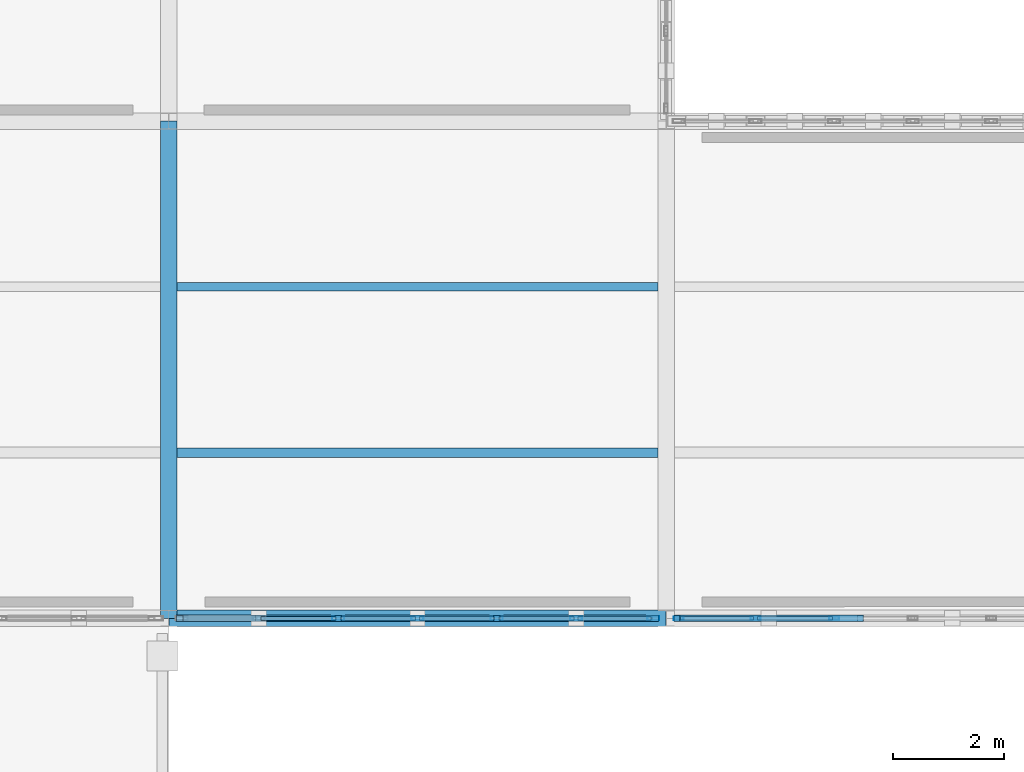
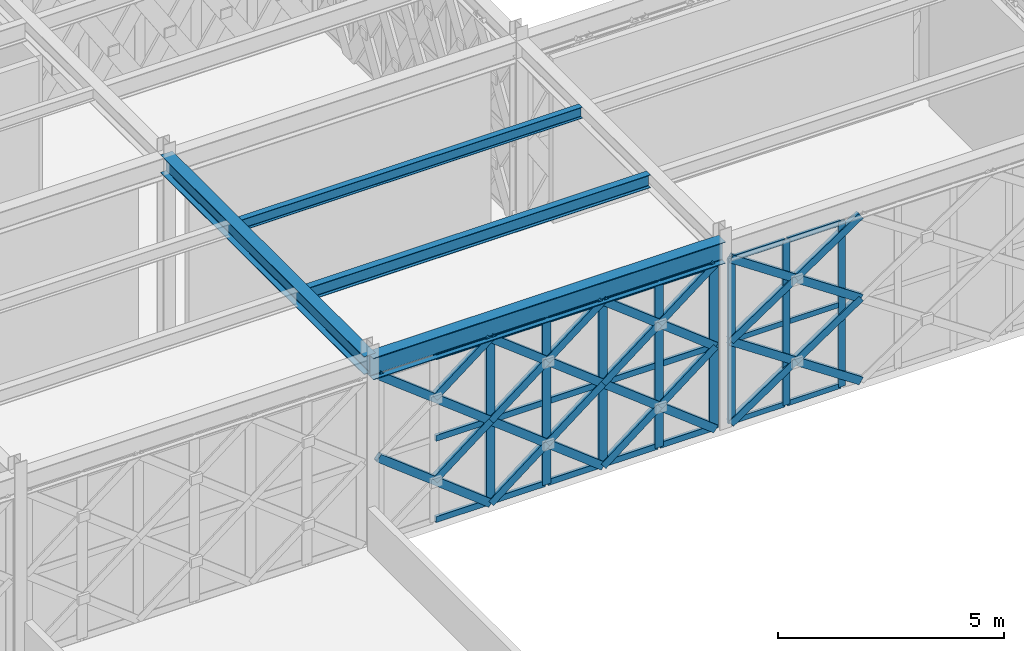
# One storey, part 106 of 155: 51 members, 4 beams, 2 elements without a shape of their own.
"""IFC4 building model written with IfcOpenShell, lengths in metres."""

from ifc_helpers import new_model, si_unit, direction, frame, origin, origin_2d, place, context, subcontext, project, spatial, hollow_rectangle, i_section, extrude, material, material_profile, profile_set, type_object, element, aggregate, save


model = new_model("IFC4")

# Units and contexts
model_context = context("Model", 3, precision=1e-05, world=origin(), true_north=direction((0.0, 1.0)))
body_context = subcontext(model_context, "Body", "Model", "MODEL_VIEW")
ifc_project = project(units=[si_unit("LENGTHUNIT", "METRE"), si_unit("AREAUNIT", "SQUARE_METRE"), si_unit("VOLUMEUNIT", "CUBIC_METRE"), si_unit("PLANEANGLEUNIT", "RADIAN"), si_unit("MASSUNIT", "GRAM", prefix="KILO")], contexts=[model_context])

# Site, building, storey
site_placement = place(None, origin())
site = spatial("IfcSite", under=ifc_project, at=site_placement, CompositionType="ELEMENT")
building_placement = place(site_placement, origin())
building = spatial("IfcBuilding", under=site, at=building_placement, Name="Haizhuo Lancet Aquarium", CompositionType="ELEMENT")
storey_placement = place(building_placement, frame((0.0, 0.0, 10.800048828125)))
storey = spatial("IfcBuildingStorey", under=building, at=storey_placement, Name="L02", CompositionType="ELEMENT", Elevation=10.800048828125)

# Beams
ifc_material_1 = material(Name="Steel S355", Category="steel")
ifc_material_profile_1 = material_profile(ifc_material_1, i_section(OverallWidth=0.300048828125, OverallDepth=0.488037109375, WebThickness=0.010986328125, FlangeThickness=0.01806640625, FilletRadius=0.02392578125, at=origin_2d()), Name="HM 488x300x11x18")
ifc_profile_set_1 = profile_set([ifc_material_profile_1], Name="Steel S355")
beam_type_1 = type_object("IfcBeamType", Name="BM-ST-HM488", PredefinedType="BEAM", material=ifc_profile_set_1)
beam_1_placement = place(storey_placement, frame((63.0, 9.0, 4.805908203125), z_axis=(0.0, 1.0, 0.0), x_axis=(-1.0, 0.0, 0.0)))
element("IfcBeam", 1, at=beam_1_placement, inside=storey, type_object=beam_type_1, Name="L02 V7 primary girder BM-L02-V7-021", PredefinedType="BEAM", context=body_context, shape_type="SweptSolid", body=[
    extrude(i_section(OverallWidth=0.300048828125, OverallDepth=0.488037109375, WebThickness=0.010986328125, FlangeThickness=0.01806640625, FilletRadius=0.02392578125, at=origin_2d()), origin(), (0.0, 0.0, 1.0), 9.0),
])
ifc_material_profile_2 = material_profile(ifc_material_1, i_section(OverallWidth=0.300048828125, OverallDepth=0.587890625, WebThickness=0.011962890625, FlangeThickness=0.02001953125, FilletRadius=0.02587890625, at=origin_2d()), Name="HM 588x300x12x20")
ifc_profile_set_2 = profile_set([ifc_material_profile_2], Name="Steel S355")
beam_type_2 = type_object("IfcBeamType", Name="BM-ST-HM588", PredefinedType="BEAM", material=ifc_profile_set_2)
beam_2_placement = place(storey_placement, frame((63.0, 9.0, 4.755859375), z_axis=(1.0, 0.0, 0.0), x_axis=(0.0, 1.0, 0.0)))
element("IfcBeam", 2, at=beam_2_placement, inside=storey, type_object=beam_type_2, Name="L02 V7 primary girder BM-L02-V7-022", PredefinedType="BEAM", context=body_context, shape_type="SweptSolid", body=[
    extrude(i_section(OverallWidth=0.300048828125, OverallDepth=0.587890625, WebThickness=0.011962890625, FlangeThickness=0.02001953125, FilletRadius=0.02587890625, at=origin_2d()), origin(), (0.0, 0.0, 1.0), 9.0),
])

# Curtain wall, members
ifc_material_2 = material(Name="Aluminium 6063-T6", Category="aluminium")
curtain_wall_type_1 = type_object("IfcCurtainWallType", Name="CWO-9960x4460", PredefinedType="NOTDEFINED", material=ifc_material_2)
curtain_wall_1_placement = place(storey_placement, origin())
curtain_wall_1 = element("IfcCurtainWall", 3, at=curtain_wall_1_placement, inside=storey, type_object=curtain_wall_type_1, Name="L02 curtain wall CW-V7-L02-304", PredefinedType="NOTDEFINED")
ifc_material_profile_3 = material_profile(ifc_material_2, hollow_rectangle(XDim=0.06494140625, YDim=0.179931640625, WallThickness=0.00390625, at=origin_2d()), Name="ALU-M 65x180x4")
ifc_profile_set_3 = profile_set([ifc_material_profile_3], Name="Aluminium 6063-T6")
member_type_1 = type_object("IfcMemberType", Name="CW-MUL-1", PredefinedType="MULLION", material=ifc_profile_set_3)
member_1_placement = place(storey_placement, frame((75.041015625, 9.0, 0.0), z_axis=(0.0, 0.0, 1.0), x_axis=(0.0, -1.0, 0.0)))
member_1 = element("IfcMember", 4, at=member_1_placement, type_object=member_type_1, Name="CWO-99x44 mullion 6", PredefinedType="MULLION", context=body_context, shape_type="SweptSolid", body=[
    extrude(hollow_rectangle(XDim=0.06494140625, YDim=0.179931640625, WallThickness=0.00390625, at=origin_2d()), origin(), (0.0, 0.0, 1.0), 4.4619140625),
])
member_2_placement = place(storey_placement, frame((73.617919921875, 9.0, 0.0), z_axis=(0.0, 0.0, 1.0), x_axis=(0.0, -1.0, 0.0)))
member_2 = element("IfcMember", 5, at=member_2_placement, type_object=member_type_1, Name="CWO-99x44 mullion 7", PredefinedType="MULLION", context=body_context, shape_type="SweptSolid", body=[
    extrude(hollow_rectangle(XDim=0.06494140625, YDim=0.179931640625, WallThickness=0.00390625, at=origin_2d()), origin(), (0.0, 0.0, 1.0), 4.4619140625),
])
member_3_placement = place(storey_placement, frame((72.22705078125, 9.0, 0.0), z_axis=(0.0, 0.0, 1.0), x_axis=(0.0, -1.0, 0.0)))
member_3 = element("IfcMember", 6, at=member_3_placement, type_object=member_type_1, Name="CWO-99x44 mullion 8", PredefinedType="MULLION", context=body_context, shape_type="SweptSolid", body=[
    extrude(hollow_rectangle(XDim=0.06494140625, YDim=0.179931640625, WallThickness=0.00390625, at=origin_2d()), origin(), (0.0, 0.0, 1.0), 4.4619140625),
])

curtain_wall_type_2 = type_object("IfcCurtainWallType", Name="CWO-8610x4460", PredefinedType="NOTDEFINED", material=ifc_material_2)
curtain_wall_2_placement = place(storey_placement, origin())
curtain_wall_2 = element("IfcCurtainWall", 7, at=curtain_wall_2_placement, inside=storey, type_object=curtain_wall_type_2, Name="L02 curtain wall CW-V7-L02-305", PredefinedType="NOTDEFINED")
ifc_material_profile_4 = material_profile(ifc_material_2, hollow_rectangle(XDim=0.074951171875, YDim=0.219970703125, WallThickness=0.0048828125, at=origin_2d()), Name="ALU-M 75x220x5")
ifc_profile_set_4 = profile_set([ifc_material_profile_4], Name="Aluminium 6063-T6")
member_type_2 = type_object("IfcMemberType", Name="CW-MUL-2", PredefinedType="MULLION", material=ifc_profile_set_4)
member_4_placement = place(storey_placement, frame((71.76806640625, 9.0, 0.0), z_axis=(0.0, 0.0, 1.0), x_axis=(0.0, -1.0, 0.0)))
member_4 = element("IfcMember", 8, at=member_4_placement, type_object=member_type_2, Name="CWO-86x44 mullion 1", PredefinedType="MULLION", context=body_context, shape_type="SweptSolid", body=[
    extrude(hollow_rectangle(XDim=0.074951171875, YDim=0.219970703125, WallThickness=0.0048828125, at=origin_2d()), origin(), (0.0, 0.0, 1.0), 4.4619140625),
])
member_5_placement = place(storey_placement, frame((70.3701171875, 9.0, 0.0), z_axis=(0.0, 0.0, 1.0), x_axis=(0.0, -1.0, 0.0)))
member_5 = element("IfcMember", 9, at=member_5_placement, type_object=member_type_2, Name="CWO-86x44 mullion 2", PredefinedType="MULLION", context=body_context, shape_type="SweptSolid", body=[
    extrude(hollow_rectangle(XDim=0.074951171875, YDim=0.219970703125, WallThickness=0.0048828125, at=origin_2d()), origin(), (0.0, 0.0, 1.0), 4.4619140625),
])
member_6_placement = place(storey_placement, frame((68.93505859375, 9.0, 0.0), z_axis=(0.0, 0.0, 1.0), x_axis=(0.0, -1.0, 0.0)))
member_6 = element("IfcMember", 10, at=member_6_placement, type_object=member_type_2, Name="CWO-86x44 mullion 3", PredefinedType="MULLION", context=body_context, shape_type="SweptSolid", body=[
    extrude(hollow_rectangle(XDim=0.074951171875, YDim=0.219970703125, WallThickness=0.0048828125, at=origin_2d()), origin(), (0.0, 0.0, 1.0), 4.4619140625),
])
member_7_placement = place(storey_placement, frame((67.5, 9.0, 0.0), z_axis=(0.0, 0.0, 1.0), x_axis=(0.0, -1.0, 0.0)))
member_7 = element("IfcMember", 11, at=member_7_placement, type_object=member_type_2, Name="CWO-86x44 mullion 4", PredefinedType="MULLION", context=body_context, shape_type="SweptSolid", body=[
    extrude(hollow_rectangle(XDim=0.074951171875, YDim=0.219970703125, WallThickness=0.0048828125, at=origin_2d()), origin(), (0.0, 0.0, 1.0), 4.4619140625),
])
member_8_placement = place(storey_placement, frame((66.06494140625, 9.0, 0.0), z_axis=(0.0, 0.0, 1.0), x_axis=(0.0, -1.0, 0.0)))
member_8 = element("IfcMember", 12, at=member_8_placement, type_object=member_type_2, Name="CWO-86x44 mullion 5", PredefinedType="MULLION", context=body_context, shape_type="SweptSolid", body=[
    extrude(hollow_rectangle(XDim=0.074951171875, YDim=0.219970703125, WallThickness=0.0048828125, at=origin_2d()), origin(), (0.0, 0.0, 1.0), 4.4619140625),
])

# Member
ifc_material_profile_5 = material_profile(ifc_material_2, hollow_rectangle(XDim=0.06494140625, YDim=0.139892578125, WallThickness=0.00390625, at=origin_2d()), Name="ALU-T 65x140x4")
ifc_profile_set_5 = profile_set([ifc_material_profile_5], Name="Aluminium 6063-T6")
member_type_3 = type_object("IfcMemberType", Name="CW-TRN-1", PredefinedType="NOTDEFINED", material=ifc_profile_set_5)
member_9_placement = place(storey_placement, frame((75.008056640625, 9.0, 0.032958984375), z_axis=(-1.0, 0.0, 0.0), x_axis=(0.0, -1.0, 0.0)))
member_9 = element("IfcMember", 13, at=member_9_placement, type_object=member_type_3, Name="CWO-99x44 transom 6.1", ObjectType="TRANSOM", PredefinedType="USERDEFINED", context=body_context, shape_type="SweptSolid", body=[
    extrude(hollow_rectangle(XDim=0.06494140625, YDim=0.139892578125, WallThickness=0.00390625, at=origin_2d()), origin(), (0.0, 0.0, 1.0), 1.358154296875),
])

member_10_placement = place(storey_placement, frame((75.008056640625, 9.0, 2.23095703125), z_axis=(-1.0, 0.0, 0.0), x_axis=(0.0, -1.0, 0.0)))
member_10 = element("IfcMember", 14, at=member_10_placement, type_object=member_type_3, Name="CWO-99x44 transom 6.2", ObjectType="TRANSOM", PredefinedType="USERDEFINED", context=body_context, shape_type="SweptSolid", body=[
    extrude(hollow_rectangle(XDim=0.06494140625, YDim=0.139892578125, WallThickness=0.00390625, at=origin_2d()), origin(), (0.0, 0.0, 1.0), 1.358154296875),
])

member_11_placement = place(storey_placement, frame((75.008056640625, 9.0, 4.428955078125), z_axis=(-1.0, 0.0, 0.0), x_axis=(0.0, -1.0, 0.0)))
member_11 = element("IfcMember", 15, at=member_11_placement, type_object=member_type_3, Name="CWO-99x44 transom 6.3", ObjectType="TRANSOM", PredefinedType="USERDEFINED", context=body_context, shape_type="SweptSolid", body=[
    extrude(hollow_rectangle(XDim=0.06494140625, YDim=0.139892578125, WallThickness=0.00390625, at=origin_2d()), origin(), (0.0, 0.0, 1.0), 1.358154296875),
])

member_12_placement = place(storey_placement, frame((73.5849609375, 9.0, 0.032958984375), z_axis=(-1.0, 0.0, 0.0), x_axis=(0.0, -1.0, 0.0)))
member_12 = element("IfcMember", 16, at=member_12_placement, type_object=member_type_3, Name="CWO-99x44 transom 7.1", ObjectType="TRANSOM", PredefinedType="USERDEFINED", context=body_context, shape_type="SweptSolid", body=[
    extrude(hollow_rectangle(XDim=0.06494140625, YDim=0.139892578125, WallThickness=0.00390625, at=origin_2d()), origin(), (0.0, 0.0, 1.0), 1.324951171875),
])

member_13_placement = place(storey_placement, frame((73.5849609375, 9.0, 2.23095703125), z_axis=(-1.0, 0.0, 0.0), x_axis=(0.0, -1.0, 0.0)))
member_13 = element("IfcMember", 17, at=member_13_placement, type_object=member_type_3, Name="CWO-99x44 transom 7.2", ObjectType="TRANSOM", PredefinedType="USERDEFINED", context=body_context, shape_type="SweptSolid", body=[
    extrude(hollow_rectangle(XDim=0.06494140625, YDim=0.139892578125, WallThickness=0.00390625, at=origin_2d()), origin(), (0.0, 0.0, 1.0), 1.324951171875),
])

member_14_placement = place(storey_placement, frame((73.5849609375, 9.0, 4.428955078125), z_axis=(-1.0, 0.0, 0.0), x_axis=(0.0, -1.0, 0.0)))
member_14 = element("IfcMember", 18, at=member_14_placement, type_object=member_type_3, Name="CWO-99x44 transom 7.3", ObjectType="TRANSOM", PredefinedType="USERDEFINED", context=body_context, shape_type="SweptSolid", body=[
    extrude(hollow_rectangle(XDim=0.06494140625, YDim=0.139892578125, WallThickness=0.00390625, at=origin_2d()), origin(), (0.0, 0.0, 1.0), 1.324951171875),
])

aggregate(curtain_wall_1, [member_1, member_2, member_3, member_9, member_10, member_11, member_12, member_13, member_14])

ifc_material_profile_6 = material_profile(ifc_material_2, hollow_rectangle(XDim=0.074951171875, YDim=0.159912109375, WallThickness=0.00390625, at=origin_2d()), Name="ALU-T 75x160x4")
ifc_profile_set_6 = profile_set([ifc_material_profile_6], Name="Aluminium 6063-T6")
member_type_4 = type_object("IfcMemberType", Name="CW-TRN-2", PredefinedType="NOTDEFINED", material=ifc_profile_set_6)
member_15_placement = place(storey_placement, frame((71.72998046875, 9.0, 0.037841796875), z_axis=(-1.0, 0.0, 0.0), x_axis=(0.0, -1.0, 0.0)))
member_15 = element("IfcMember", 19, at=member_15_placement, type_object=member_type_4, Name="CWO-86x44 transom 1.1", ObjectType="TRANSOM", PredefinedType="USERDEFINED", context=body_context, shape_type="SweptSolid", body=[
    extrude(hollow_rectangle(XDim=0.074951171875, YDim=0.159912109375, WallThickness=0.00390625, at=origin_2d()), origin(), (0.0, 0.0, 1.0), 1.322998046875),
])

member_16_placement = place(storey_placement, frame((71.72998046875, 9.0, 2.23095703125), z_axis=(-1.0, 0.0, 0.0), x_axis=(0.0, -1.0, 0.0)))
member_16 = element("IfcMember", 20, at=member_16_placement, type_object=member_type_4, Name="CWO-86x44 transom 1.2", ObjectType="TRANSOM", PredefinedType="USERDEFINED", context=body_context, shape_type="SweptSolid", body=[
    extrude(hollow_rectangle(XDim=0.074951171875, YDim=0.159912109375, WallThickness=0.00390625, at=origin_2d()), origin(), (0.0, 0.0, 1.0), 1.322998046875),
])

member_17_placement = place(storey_placement, frame((71.72998046875, 9.0, 4.425048828125), z_axis=(-1.0, 0.0, 0.0), x_axis=(0.0, -1.0, 0.0)))
member_17 = element("IfcMember", 21, at=member_17_placement, type_object=member_type_4, Name="CWO-86x44 transom 1.3", ObjectType="TRANSOM", PredefinedType="USERDEFINED", context=body_context, shape_type="SweptSolid", body=[
    extrude(hollow_rectangle(XDim=0.074951171875, YDim=0.159912109375, WallThickness=0.00390625, at=origin_2d()), origin(), (0.0, 0.0, 1.0), 1.322998046875),
])

member_18_placement = place(storey_placement, frame((70.3330078125, 9.0, 0.037841796875), z_axis=(-1.0, 0.0, 0.0), x_axis=(0.0, -1.0, 0.0)))
member_18 = element("IfcMember", 22, at=member_18_placement, type_object=member_type_4, Name="CWO-86x44 transom 2.1", ObjectType="TRANSOM", PredefinedType="USERDEFINED", context=body_context, shape_type="SweptSolid", body=[
    extrude(hollow_rectangle(XDim=0.074951171875, YDim=0.159912109375, WallThickness=0.00390625, at=origin_2d()), origin(), (0.0, 0.0, 1.0), 1.360107421875),
])

member_19_placement = place(storey_placement, frame((70.3330078125, 9.0, 2.23095703125), z_axis=(-1.0, 0.0, 0.0), x_axis=(0.0, -1.0, 0.0)))
member_19 = element("IfcMember", 23, at=member_19_placement, type_object=member_type_4, Name="CWO-86x44 transom 2.2", ObjectType="TRANSOM", PredefinedType="USERDEFINED", context=body_context, shape_type="SweptSolid", body=[
    extrude(hollow_rectangle(XDim=0.074951171875, YDim=0.159912109375, WallThickness=0.00390625, at=origin_2d()), origin(), (0.0, 0.0, 1.0), 1.360107421875),
])

member_20_placement = place(storey_placement, frame((70.3330078125, 9.0, 4.425048828125), z_axis=(-1.0, 0.0, 0.0), x_axis=(0.0, -1.0, 0.0)))
member_20 = element("IfcMember", 24, at=member_20_placement, type_object=member_type_4, Name="CWO-86x44 transom 2.3", ObjectType="TRANSOM", PredefinedType="USERDEFINED", context=body_context, shape_type="SweptSolid", body=[
    extrude(hollow_rectangle(XDim=0.074951171875, YDim=0.159912109375, WallThickness=0.00390625, at=origin_2d()), origin(), (0.0, 0.0, 1.0), 1.360107421875),
])

member_21_placement = place(storey_placement, frame((68.89794921875, 9.0, 0.037841796875), z_axis=(-1.0, 0.0, 0.0), x_axis=(0.0, -1.0, 0.0)))
member_21 = element("IfcMember", 25, at=member_21_placement, type_object=member_type_4, Name="CWO-86x44 transom 3.1", ObjectType="TRANSOM", PredefinedType="USERDEFINED", context=body_context, shape_type="SweptSolid", body=[
    extrude(hollow_rectangle(XDim=0.074951171875, YDim=0.159912109375, WallThickness=0.00390625, at=origin_2d()), origin(), (0.0, 0.0, 1.0), 1.35986328125),
])

member_22_placement = place(storey_placement, frame((68.89794921875, 9.0, 2.23095703125), z_axis=(-1.0, 0.0, 0.0), x_axis=(0.0, -1.0, 0.0)))
member_22 = element("IfcMember", 26, at=member_22_placement, type_object=member_type_4, Name="CWO-86x44 transom 3.2", ObjectType="TRANSOM", PredefinedType="USERDEFINED", context=body_context, shape_type="SweptSolid", body=[
    extrude(hollow_rectangle(XDim=0.074951171875, YDim=0.159912109375, WallThickness=0.00390625, at=origin_2d()), origin(), (0.0, 0.0, 1.0), 1.35986328125),
])

member_23_placement = place(storey_placement, frame((68.89794921875, 9.0, 4.425048828125), z_axis=(-1.0, 0.0, 0.0), x_axis=(0.0, -1.0, 0.0)))
member_23 = element("IfcMember", 27, at=member_23_placement, type_object=member_type_4, Name="CWO-86x44 transom 3.3", ObjectType="TRANSOM", PredefinedType="USERDEFINED", context=body_context, shape_type="SweptSolid", body=[
    extrude(hollow_rectangle(XDim=0.074951171875, YDim=0.159912109375, WallThickness=0.00390625, at=origin_2d()), origin(), (0.0, 0.0, 1.0), 1.35986328125),
])

member_24_placement = place(storey_placement, frame((67.462890625, 9.0, 0.037841796875), z_axis=(-1.0, 0.0, 0.0), x_axis=(0.0, -1.0, 0.0)))
member_24 = element("IfcMember", 28, at=member_24_placement, type_object=member_type_4, Name="CWO-86x44 transom 4.1", ObjectType="TRANSOM", PredefinedType="USERDEFINED", context=body_context, shape_type="SweptSolid", body=[
    extrude(hollow_rectangle(XDim=0.074951171875, YDim=0.159912109375, WallThickness=0.00390625, at=origin_2d()), origin(), (0.0, 0.0, 1.0), 1.35986328125),
])

member_25_placement = place(storey_placement, frame((67.462890625, 9.0, 2.23095703125), z_axis=(-1.0, 0.0, 0.0), x_axis=(0.0, -1.0, 0.0)))
member_25 = element("IfcMember", 29, at=member_25_placement, type_object=member_type_4, Name="CWO-86x44 transom 4.2", ObjectType="TRANSOM", PredefinedType="USERDEFINED", context=body_context, shape_type="SweptSolid", body=[
    extrude(hollow_rectangle(XDim=0.074951171875, YDim=0.159912109375, WallThickness=0.00390625, at=origin_2d()), origin(), (0.0, 0.0, 1.0), 1.35986328125),
])

member_26_placement = place(storey_placement, frame((67.462890625, 9.0, 4.425048828125), z_axis=(-1.0, 0.0, 0.0), x_axis=(0.0, -1.0, 0.0)))
member_26 = element("IfcMember", 30, at=member_26_placement, type_object=member_type_4, Name="CWO-86x44 transom 4.3", ObjectType="TRANSOM", PredefinedType="USERDEFINED", context=body_context, shape_type="SweptSolid", body=[
    extrude(hollow_rectangle(XDim=0.074951171875, YDim=0.159912109375, WallThickness=0.00390625, at=origin_2d()), origin(), (0.0, 0.0, 1.0), 1.35986328125),
])

member_27_placement = place(storey_placement, frame((66.028076171875, 9.0, 0.037841796875), z_axis=(-1.0, 0.0, 0.0), x_axis=(0.0, -1.0, 0.0)))
member_27 = element("IfcMember", 31, at=member_27_placement, type_object=member_type_4, Name="CWO-86x44 transom 5.1", ObjectType="TRANSOM", PredefinedType="USERDEFINED", context=body_context, shape_type="SweptSolid", body=[
    extrude(hollow_rectangle(XDim=0.074951171875, YDim=0.159912109375, WallThickness=0.00390625, at=origin_2d()), origin(), (0.0, 0.0, 1.0), 1.360107421875),
])

member_28_placement = place(storey_placement, frame((66.028076171875, 9.0, 2.23095703125), z_axis=(-1.0, 0.0, 0.0), x_axis=(0.0, -1.0, 0.0)))
member_28 = element("IfcMember", 32, at=member_28_placement, type_object=member_type_4, Name="CWO-86x44 transom 5.2", ObjectType="TRANSOM", PredefinedType="USERDEFINED", context=body_context, shape_type="SweptSolid", body=[
    extrude(hollow_rectangle(XDim=0.074951171875, YDim=0.159912109375, WallThickness=0.00390625, at=origin_2d()), origin(), (0.0, 0.0, 1.0), 1.360107421875),
])

member_29_placement = place(storey_placement, frame((66.028076171875, 9.0, 4.425048828125), z_axis=(-1.0, 0.0, 0.0), x_axis=(0.0, -1.0, 0.0)))
member_29 = element("IfcMember", 33, at=member_29_placement, type_object=member_type_4, Name="CWO-86x44 transom 5.3", ObjectType="TRANSOM", PredefinedType="USERDEFINED", context=body_context, shape_type="SweptSolid", body=[
    extrude(hollow_rectangle(XDim=0.074951171875, YDim=0.159912109375, WallThickness=0.00390625, at=origin_2d()), origin(), (0.0, 0.0, 1.0), 1.360107421875),
])

aggregate(curtain_wall_2, [member_4, member_5, member_6, member_7, member_8, member_15, member_16, member_17, member_18, member_19, member_20, member_21, member_22, member_23, member_24, member_25, member_26, member_27, member_28, member_29])

# Beams
ifc_material_profile_7 = material_profile(ifc_material_1, i_section(OverallWidth=0.14990234375, OverallDepth=0.300048828125, WebThickness=0.006591796875, FlangeThickness=0.009033203125, FilletRadius=0.012939453125, at=origin_2d()), Name="HN 300x150x6.5x9")
ifc_profile_set_7 = profile_set([ifc_material_profile_7], Name="Steel S355")
beam_type_3 = type_object("IfcBeamType", Name="JST-ST-HN300", PredefinedType="JOIST", material=ifc_profile_set_7)
beam_3_placement = place(storey_placement, frame((63.14990234375, 15.0, 4.89990234375), z_axis=(1.0, 0.0, 0.0), x_axis=(0.0, 1.0, 0.0)))
element("IfcBeam", 34, at=beam_3_placement, inside=storey, type_object=beam_type_3, Name="L02 V7 secondary floor joist 16", PredefinedType="JOIST", context=body_context, shape_type="SweptSolid", body=[
    extrude(i_section(OverallWidth=0.14990234375, OverallDepth=0.300048828125, WebThickness=0.006591796875, FlangeThickness=0.009033203125, FilletRadius=0.012939453125, at=origin_2d()), origin(), (0.0, 0.0, 1.0), 8.7001953125),
])
ifc_material_profile_8 = material_profile(ifc_material_1, i_section(OverallWidth=0.175048828125, OverallDepth=0.35009765625, WebThickness=0.007080078125, FlangeThickness=0.010986328125, FilletRadius=0.013916015625, at=origin_2d()), Name="HN 350x175x7x11")
ifc_profile_set_8 = profile_set([ifc_material_profile_8], Name="Steel S355")
beam_type_4 = type_object("IfcBeamType", Name="JST-ST-HN350", PredefinedType="JOIST", material=ifc_profile_set_8)
beam_4_placement = place(storey_placement, frame((63.14990234375, 12.0, 4.875), z_axis=(1.0, 0.0, 0.0), x_axis=(0.0, 1.0, 0.0)))
element("IfcBeam", 35, at=beam_4_placement, inside=storey, type_object=beam_type_4, Name="L02 V7 secondary floor joist 15", PredefinedType="JOIST", context=body_context, shape_type="SweptSolid", body=[
    extrude(i_section(OverallWidth=0.175048828125, OverallDepth=0.35009765625, WebThickness=0.007080078125, FlangeThickness=0.010986328125, FilletRadius=0.013916015625, at=origin_2d()), origin(), (0.0, 0.0, 1.0), 8.7001953125),
])

# Members
ifc_material_profile_9 = material_profile(ifc_material_1, hollow_rectangle(XDim=0.1201171875, YDim=0.199951171875, WallThickness=0.008056640625, at=origin_2d()), Name="RHS 120x200x8")
ifc_profile_set_9 = profile_set([ifc_material_profile_9], Name="Steel S355")
member_type_5 = type_object("IfcMemberType", Name="MEM-LB-RHS120x200", PredefinedType="BRACE", material=ifc_profile_set_9)
member_30_placement = place(storey_placement, frame((75.514892578125, 9.0, 0.0), z_axis=(-0.829997500644, 0.0, 0.557767109934), x_axis=(0.0, -1.0, 0.0)))
element("IfcMember", 36, at=member_30_placement, inside=storey, type_object=member_type_5, Name="Gothic lancet continuous diagonal brace CW-V7-L02-304 5A", PredefinedType="BRACE", context=body_context, shape_type="SweptSolid", body=[
    extrude(hollow_rectangle(XDim=0.1201171875, YDim=0.199951171875, WallThickness=0.008056640625, at=origin_2d()), origin(), (0.0, 0.0, 1.0), 3.999755859375),
])
member_31_placement = place(storey_placement, frame((72.195068359375, 9.0, 0.0), z_axis=(0.829884469599, 0.0, 0.557935271442), x_axis=(0.0, 1.0, 0.0)))
element("IfcMember", 37, at=member_31_placement, inside=storey, type_object=member_type_5, Name="Gothic lancet split diagonal brace CW-V7-L02-304 5B1", PredefinedType="BRACE", context=body_context, shape_type="SweptSolid", body=[
    extrude(hollow_rectangle(XDim=0.1201171875, YDim=0.199951171875, WallThickness=0.008056640625, at=origin_2d()), origin(), (0.0, 0.0, 1.0), 2.000244140625),
])
member_32_placement = place(storey_placement, frame((73.85498046875, 9.0, 1.115966796875), z_axis=(0.83011052839, 0.0, 0.557598879712), x_axis=(0.0, 1.0, 0.0)))
element("IfcMember", 38, at=member_32_placement, inside=storey, type_object=member_type_5, Name="Gothic lancet split diagonal brace CW-V7-L02-304 5B2", PredefinedType="BRACE", context=body_context, shape_type="SweptSolid", body=[
    extrude(hollow_rectangle(XDim=0.1201171875, YDim=0.199951171875, WallThickness=0.008056640625, at=origin_2d()), origin(), (0.0, 0.0, 1.0), 1.99951171875),
])
member_33_placement = place(storey_placement, frame((75.514892578125, 9.0, 2.23095703125), z_axis=(-0.829997500644, 0.0, 0.557767109934), x_axis=(0.0, -1.0, 0.0)))
element("IfcMember", 39, at=member_33_placement, inside=storey, type_object=member_type_5, Name="Gothic lancet continuous diagonal brace CW-V7-L02-304 6A", PredefinedType="BRACE", context=body_context, shape_type="SweptSolid", body=[
    extrude(hollow_rectangle(XDim=0.1201171875, YDim=0.199951171875, WallThickness=0.008056640625, at=origin_2d()), origin(), (0.0, 0.0, 1.0), 3.999755859375),
])
member_34_placement = place(storey_placement, frame((72.195068359375, 9.0, 2.23095703125), z_axis=(0.83011052839, 0.0, 0.557598879712), x_axis=(0.0, 1.0, 0.0)))
element("IfcMember", 40, at=member_34_placement, inside=storey, type_object=member_type_5, Name="Gothic lancet split diagonal brace CW-V7-L02-304 6B1", PredefinedType="BRACE", context=body_context, shape_type="SweptSolid", body=[
    extrude(hollow_rectangle(XDim=0.1201171875, YDim=0.199951171875, WallThickness=0.008056640625, at=origin_2d()), origin(), (0.0, 0.0, 1.0), 1.99951171875),
])
member_35_placement = place(storey_placement, frame((73.85498046875, 9.0, 3.345947265625), z_axis=(0.829884469599, 0.0, 0.557935271442), x_axis=(0.0, 1.0, 0.0)))
element("IfcMember", 41, at=member_35_placement, inside=storey, type_object=member_type_5, Name="Gothic lancet split diagonal brace CW-V7-L02-304 6B2", PredefinedType="BRACE", context=body_context, shape_type="SweptSolid", body=[
    extrude(hollow_rectangle(XDim=0.1201171875, YDim=0.199951171875, WallThickness=0.008056640625, at=origin_2d()), origin(), (0.0, 0.0, 1.0), 2.000244140625),
])
member_36_placement = place(storey_placement, frame((71.804931640625, 9.0, 0.0), z_axis=(-0.789507701538, 0.0, 0.613740653055), x_axis=(0.0, -1.0, 0.0)))
element("IfcMember", 42, at=member_36_placement, inside=storey, type_object=member_type_5, Name="Gothic lancet continuous diagonal brace CW-V7-L02-305 1A", PredefinedType="BRACE", context=body_context, shape_type="SweptSolid", body=[
    extrude(hollow_rectangle(XDim=0.1201171875, YDim=0.199951171875, WallThickness=0.008056640625, at=origin_2d()), origin(), (0.0, 0.0, 1.0), 3.635009765625),
])
member_37_placement = place(storey_placement, frame((68.93505859375, 9.0, 0.0), z_axis=(0.789402834657, 0.0, 0.613875528618), x_axis=(0.0, 1.0, 0.0)))
element("IfcMember", 43, at=member_37_placement, inside=storey, type_object=member_type_5, Name="Gothic lancet split diagonal brace CW-V7-L02-305 1B1", PredefinedType="BRACE", context=body_context, shape_type="SweptSolid", body=[
    extrude(hollow_rectangle(XDim=0.1201171875, YDim=0.199951171875, WallThickness=0.008056640625, at=origin_2d()), origin(), (0.0, 0.0, 1.0), 1.81787109375),
])
member_38_placement = place(storey_placement, frame((70.3701171875, 9.0, 1.115966796875), z_axis=(0.789612591073, 0.0, 0.613605700771), x_axis=(0.0, 1.0, 0.0)))
element("IfcMember", 44, at=member_38_placement, inside=storey, type_object=member_type_5, Name="Gothic lancet split diagonal brace CW-V7-L02-305 1B2", PredefinedType="BRACE", context=body_context, shape_type="SweptSolid", body=[
    extrude(hollow_rectangle(XDim=0.1201171875, YDim=0.199951171875, WallThickness=0.008056640625, at=origin_2d()), origin(), (0.0, 0.0, 1.0), 1.817138671875),
])
member_39_placement = place(storey_placement, frame((71.804931640625, 9.0, 2.23095703125), z_axis=(-0.789507701538, 0.0, 0.613740653055), x_axis=(0.0, -1.0, 0.0)))
element("IfcMember", 45, at=member_39_placement, inside=storey, type_object=member_type_5, Name="Gothic lancet continuous diagonal brace CW-V7-L02-305 2A", PredefinedType="BRACE", context=body_context, shape_type="SweptSolid", body=[
    extrude(hollow_rectangle(XDim=0.1201171875, YDim=0.199951171875, WallThickness=0.008056640625, at=origin_2d()), origin(), (0.0, 0.0, 1.0), 3.635009765625),
])
member_40_placement = place(storey_placement, frame((68.93505859375, 9.0, 2.23095703125), z_axis=(0.789663169817, 0.0, 0.613540608464), x_axis=(0.0, 1.0, 0.0)))
element("IfcMember", 46, at=member_40_placement, inside=storey, type_object=member_type_5, Name="Gothic lancet split diagonal brace CW-V7-L02-305 2B1", PredefinedType="BRACE", context=body_context, shape_type="SweptSolid", body=[
    extrude(hollow_rectangle(XDim=0.1201171875, YDim=0.199951171875, WallThickness=0.008056640625, at=origin_2d()), origin(), (0.0, 0.0, 1.0), 1.8173828125),
])
member_41_placement = place(storey_placement, frame((70.3701171875, 9.0, 3.345947265625), z_axis=(0.789352217376, 0.0, 0.613940613515), x_axis=(0.0, 1.0, 0.0)))
element("IfcMember", 47, at=member_41_placement, inside=storey, type_object=member_type_5, Name="Gothic lancet split diagonal brace CW-V7-L02-305 2B2", PredefinedType="BRACE", context=body_context, shape_type="SweptSolid", body=[
    extrude(hollow_rectangle(XDim=0.1201171875, YDim=0.199951171875, WallThickness=0.008056640625, at=origin_2d()), origin(), (0.0, 0.0, 1.0), 1.817626953125),
])
member_42_placement = place(storey_placement, frame((68.93505859375, 9.0, 0.0), z_axis=(-0.789532998536, 0.0, 0.613708109954), x_axis=(0.0, -1.0, 0.0)))
element("IfcMember", 48, at=member_42_placement, inside=storey, type_object=member_type_5, Name="Gothic lancet continuous diagonal brace CW-V7-L02-305 3A", PredefinedType="BRACE", context=body_context, shape_type="SweptSolid", body=[
    extrude(hollow_rectangle(XDim=0.1201171875, YDim=0.199951171875, WallThickness=0.008056640625, at=origin_2d()), origin(), (0.0, 0.0, 1.0), 3.63525390625),
])
member_43_placement = place(storey_placement, frame((66.06494140625, 9.0, 0.0), z_axis=(0.789402834657, 0.0, 0.613875528618), x_axis=(0.0, 1.0, 0.0)))
element("IfcMember", 49, at=member_43_placement, inside=storey, type_object=member_type_5, Name="Gothic lancet split diagonal brace CW-V7-L02-305 3B1", PredefinedType="BRACE", context=body_context, shape_type="SweptSolid", body=[
    extrude(hollow_rectangle(XDim=0.1201171875, YDim=0.199951171875, WallThickness=0.008056640625, at=origin_2d()), origin(), (0.0, 0.0, 1.0), 1.81787109375),
])
member_44_placement = place(storey_placement, frame((67.5, 9.0, 1.115966796875), z_axis=(0.789663169817, 0.0, 0.613540608464), x_axis=(0.0, 1.0, 0.0)))
element("IfcMember", 50, at=member_44_placement, inside=storey, type_object=member_type_5, Name="Gothic lancet split diagonal brace CW-V7-L02-305 3B2", PredefinedType="BRACE", context=body_context, shape_type="SweptSolid", body=[
    extrude(hollow_rectangle(XDim=0.1201171875, YDim=0.199951171875, WallThickness=0.008056640625, at=origin_2d()), origin(), (0.0, 0.0, 1.0), 1.8173828125),
])
member_45_placement = place(storey_placement, frame((68.93505859375, 9.0, 2.23095703125), z_axis=(-0.789532998536, 0.0, 0.613708109954), x_axis=(0.0, -1.0, 0.0)))
element("IfcMember", 51, at=member_45_placement, inside=storey, type_object=member_type_5, Name="Gothic lancet continuous diagonal brace CW-V7-L02-305 4A", PredefinedType="BRACE", context=body_context, shape_type="SweptSolid", body=[
    extrude(hollow_rectangle(XDim=0.1201171875, YDim=0.199951171875, WallThickness=0.008056640625, at=origin_2d()), origin(), (0.0, 0.0, 1.0), 3.63525390625),
])
member_46_placement = place(storey_placement, frame((66.06494140625, 9.0, 2.23095703125), z_axis=(0.789663169817, 0.0, 0.613540608464), x_axis=(0.0, 1.0, 0.0)))
element("IfcMember", 52, at=member_46_placement, inside=storey, type_object=member_type_5, Name="Gothic lancet split diagonal brace CW-V7-L02-305 4B1", PredefinedType="BRACE", context=body_context, shape_type="SweptSolid", body=[
    extrude(hollow_rectangle(XDim=0.1201171875, YDim=0.199951171875, WallThickness=0.008056640625, at=origin_2d()), origin(), (0.0, 0.0, 1.0), 1.8173828125),
])
member_47_placement = place(storey_placement, frame((67.5, 9.0, 3.345947265625), z_axis=(0.789402834657, 0.0, 0.613875528618), x_axis=(0.0, 1.0, 0.0)))
element("IfcMember", 53, at=member_47_placement, inside=storey, type_object=member_type_5, Name="Gothic lancet split diagonal brace CW-V7-L02-305 4B2", PredefinedType="BRACE", context=body_context, shape_type="SweptSolid", body=[
    extrude(hollow_rectangle(XDim=0.1201171875, YDim=0.199951171875, WallThickness=0.008056640625, at=origin_2d()), origin(), (0.0, 0.0, 1.0), 1.81787109375),
])
member_48_placement = place(storey_placement, frame((66.06494140625, 9.0, 0.0), z_axis=(-0.789507701538, 0.0, 0.613740653055), x_axis=(0.0, -1.0, 0.0)))
element("IfcMember", 54, at=member_48_placement, inside=storey, type_object=member_type_5, Name="Gothic lancet continuous diagonal brace CW-V7-L02-305 5A", PredefinedType="BRACE", context=body_context, shape_type="SweptSolid", body=[
    extrude(hollow_rectangle(XDim=0.1201171875, YDim=0.199951171875, WallThickness=0.008056640625, at=origin_2d()), origin(), (0.0, 0.0, 1.0), 3.635009765625),
])
member_49_placement = place(storey_placement, frame((64.6298828125, 9.0, 1.115966796875), z_axis=(0.789663169817, 0.0, 0.613540608464), x_axis=(0.0, 1.0, 0.0)))
element("IfcMember", 55, at=member_49_placement, inside=storey, type_object=member_type_5, Name="Gothic lancet split diagonal brace CW-V7-L02-305 5B2", PredefinedType="BRACE", context=body_context, shape_type="SweptSolid", body=[
    extrude(hollow_rectangle(XDim=0.1201171875, YDim=0.199951171875, WallThickness=0.008056640625, at=origin_2d()), origin(), (0.0, 0.0, 1.0), 1.8173828125),
])
member_50_placement = place(storey_placement, frame((66.06494140625, 9.0, 2.23095703125), z_axis=(-0.789507701538, 0.0, 0.613740653055), x_axis=(0.0, -1.0, 0.0)))
element("IfcMember", 56, at=member_50_placement, inside=storey, type_object=member_type_5, Name="Gothic lancet continuous diagonal brace CW-V7-L02-305 6A", PredefinedType="BRACE", context=body_context, shape_type="SweptSolid", body=[
    extrude(hollow_rectangle(XDim=0.1201171875, YDim=0.199951171875, WallThickness=0.008056640625, at=origin_2d()), origin(), (0.0, 0.0, 1.0), 3.635009765625),
])
member_51_placement = place(storey_placement, frame((64.6298828125, 9.0, 3.345947265625), z_axis=(0.789402834657, 0.0, 0.613875528618), x_axis=(0.0, 1.0, 0.0)))
element("IfcMember", 57, at=member_51_placement, inside=storey, type_object=member_type_5, Name="Gothic lancet split diagonal brace CW-V7-L02-305 6B2", PredefinedType="BRACE", context=body_context, shape_type="SweptSolid", body=[
    extrude(hollow_rectangle(XDim=0.1201171875, YDim=0.199951171875, WallThickness=0.008056640625, at=origin_2d()), origin(), (0.0, 0.0, 1.0), 1.81787109375),
])

save(model, "model.ifc")
